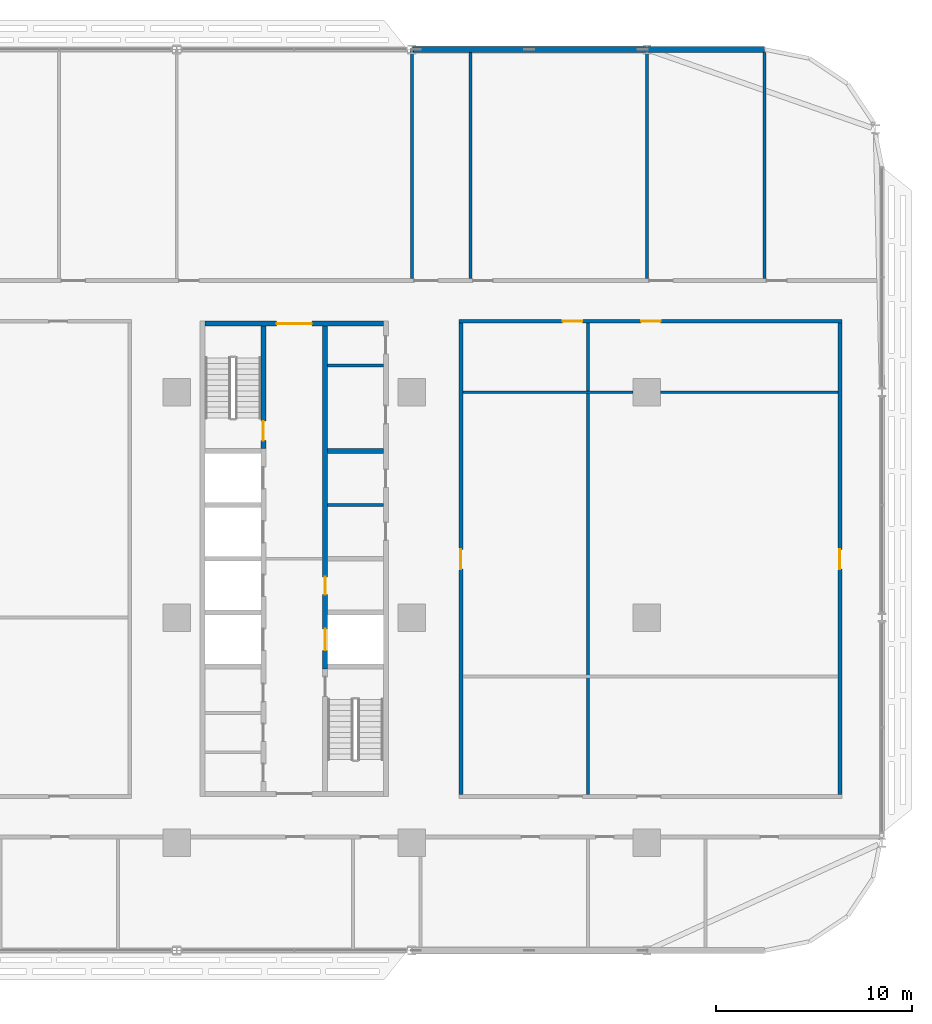
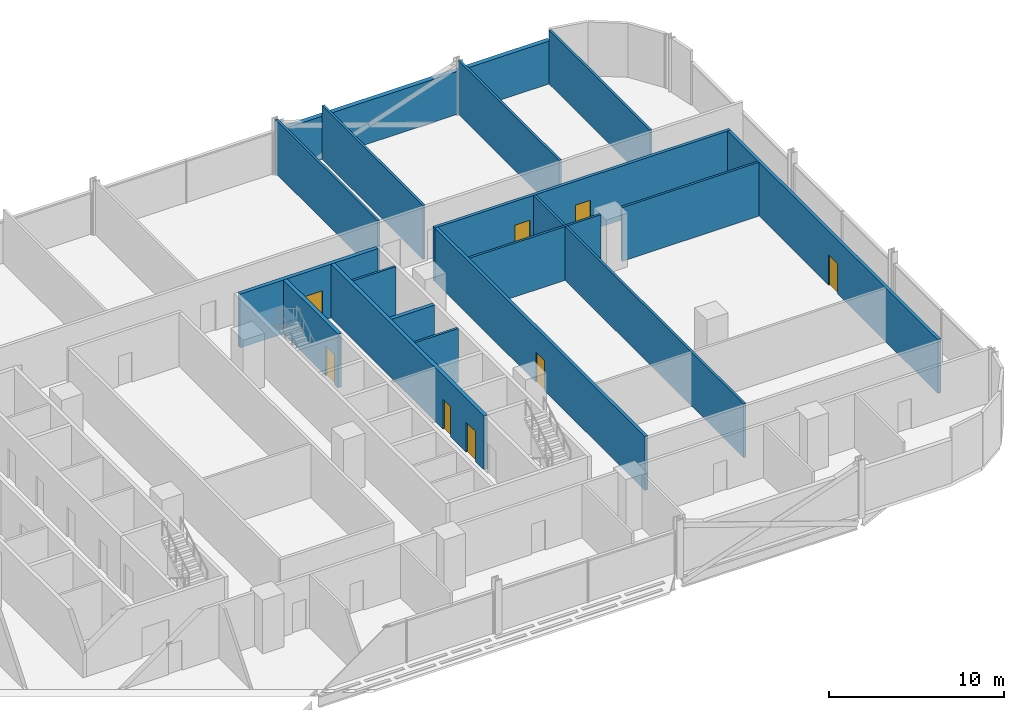
# One storey, part 17 of 29: 18 walls, 8 doors, 8 openings.
"""IFC4 building model written with IfcOpenShell, lengths in metres."""

import ifcopenshell
import ifcopenshell.guid

model = None  # the IFC model being written
_history = None  # IfcOwnerHistory: only IFC2X3 demands one
_inside = {}  # id of a spatial element -> (the spatial element, [elements in it])
_under = {}  # id of a project, library or spatial element -> (it, [spatial elements below it])
_declared = {}  # id of a project -> (the project, [libraries it declares])
_typed = {}  # id of a type object -> (the type object, [elements of that type])
_made_of = {}  # id of a material, layer set ... -> (it, [elements and type objects made of it])


def new_model(schema):
    """Start an empty IFC model of exactly this schema.

    Asked for "IFC4X3", IfcOpenShell would pick the latest addendum, in which some entities
    have other attributes; the version numbers below select the first issue.
    IFC2X3 requires an IfcOwnerHistory on every rooted entity: one is made here for all.
    """
    global model, _history
    if schema == "IFC4X3":
        model = ifcopenshell.file(schema_version=(4, 3, 0, 0))
    else:
        model = ifcopenshell.file(schema=schema)
    _inside.clear()
    _under.clear()
    _declared.clear()
    _typed.clear()
    _made_of.clear()
    _history = None
    if model.schema == "IFC2X3":
        org = make("IfcOrganization", Name="unknown")
        user = make(
            "IfcPersonAndOrganization",
            ThePerson=make("IfcPerson", FamilyName="unknown"),
            TheOrganization=org,
        )
        app = make(
            "IfcApplication",
            ApplicationDeveloper=org,
            Version="unknown",
            ApplicationFullName="unknown",
            ApplicationIdentifier="unknown",
        )
        _history = make(
            "IfcOwnerHistory",
            OwningUser=user,
            OwningApplication=app,
            ChangeAction="ADDED",
            CreationDate=0,
        )
    return model


def make(cls, **values):
    """One entity of the class cls with the attributes given. An attribute that is None is left unset."""
    return model.create_entity(
        cls, **{name: value for name, value in values.items() if value is not None}
    )


def rooted(cls, **values):
    """An entity with a GlobalId (a new one), such as an element, a storey or a relation."""
    return make(cls, GlobalId=ifcopenshell.guid.new(), OwnerHistory=_history, **values)


def si_unit(unit_type, name, prefix=None):
    """IfcSIUnit, for example si_unit("LENGTHUNIT", "METRE", prefix="MILLI")."""
    return make("IfcSIUnit", UnitType=unit_type, Prefix=prefix, Name=name)


def assignment(units):
    """IfcUnitAssignment: the units of a project."""
    return None if units is None else make("IfcUnitAssignment", Units=units)


def point(xyz):
    """IfcCartesianPoint."""
    return None if xyz is None else make("IfcCartesianPoint", Coordinates=xyz)


def direction(xyz):
    """IfcDirection."""
    return None if xyz is None else make("IfcDirection", DirectionRatios=xyz)


def frame(location, z_axis=None, x_axis=None):
    """IfcAxis2Placement3D, a coordinate frame: its origin and axes. An axis left out is left unset."""
    return make(
        "IfcAxis2Placement3D",
        Location=point(location),
        Axis=direction(z_axis),
        RefDirection=direction(x_axis),
    )


def frame_2d(location, x_axis=None):
    """IfcAxis2Placement2D, a coordinate frame in the plane: its origin and x axis."""
    return make(
        "IfcAxis2Placement2D", Location=point(location), RefDirection=direction(x_axis)
    )


def origin():
    """The frame at (0, 0, 0) with its axes left unset."""
    return frame((0.0, 0.0, 0.0))


def place(relative_to, where):
    """IfcLocalPlacement: puts the frame where relative to a parent placement (None: the world)."""
    return make(
        "IfcLocalPlacement", PlacementRelTo=relative_to, RelativePlacement=where
    )


def context(
    kind, dimensions, precision=None, world=None, true_north=None, identifier=None
):
    """IfcGeometricRepresentationContext, for example the 3D "Model" context."""
    return make(
        "IfcGeometricRepresentationContext",
        ContextIdentifier=identifier,
        ContextType=kind,
        CoordinateSpaceDimension=dimensions,
        Precision=precision,
        WorldCoordinateSystem=world,
        TrueNorth=true_north,
    )


def subcontext(parent, identifier, kind, view, scale=None):
    """IfcGeometricRepresentationSubContext, for example "Body" below "Model"."""
    return make(
        "IfcGeometricRepresentationSubContext",
        ContextIdentifier=identifier,
        ContextType=kind,
        ParentContext=parent,
        TargetScale=scale,
        TargetView=view,
    )


def project(units=None, contexts=None):
    """IfcProject with its units and contexts."""
    return rooted(
        "IfcProject",
        Name="project",
        RepresentationContexts=contexts,
        UnitsInContext=assignment(units),
    )


def spatial(cls, under=None, at=None, **own):
    """A site, building, storey or space (cls), placed at a placement, below another one or the project."""
    s = rooted(cls, ObjectPlacement=at, **own)
    if under is not None:
        _under.setdefault(under.id(), (under, []))[1].append(s)
    return s


def profile(cls, at=None, kind="AREA", **sizes):
    """A parametric profile (cls). Its sizes go by their IFC names, for example OverallWidth=200.0."""
    return make(cls, ProfileType=kind, Position=at, **sizes)


def rectangle(**sizes):
    """IfcRectangleProfileDef."""
    return profile("IfcRectangleProfileDef", **sizes)


def extrude(swept, where, along, depth):
    """IfcExtrudedAreaSolid: the profile swept, set in the frame where, extruded along a direction by depth."""
    return make(
        "IfcExtrudedAreaSolid",
        SweptArea=swept,
        Position=where,
        ExtrudedDirection=direction(along),
        Depth=depth,
    )


def shape(context_of_items, identifier, shape_type, items):
    """IfcShapeRepresentation: the items that make up one representation, for example the "Body"."""
    return make(
        "IfcShapeRepresentation",
        ContextOfItems=context_of_items,
        RepresentationIdentifier=identifier,
        RepresentationType=shape_type,
        Items=items,
    )


def material(Name=None, Category=None):
    """IfcMaterial."""
    return make("IfcMaterial", Name=Name, Category=Category)


def layer(
    of_material, thickness, ventilated=None, Name=None, Category=None, Priority=None
):
    """IfcMaterialLayer: one layer of a wall or slab, of a material (None: an air gap)."""
    return make(
        "IfcMaterialLayer",
        Material=of_material,
        LayerThickness=thickness,
        IsVentilated=ventilated,
        Name=Name,
        Category=Category,
        Priority=Priority,
    )


def layer_set(layers, Name=None):
    """IfcMaterialLayerSet."""
    return make("IfcMaterialLayerSet", MaterialLayers=layers, LayerSetName=Name)


def made_of(thing, what):
    """Note that an element or type object is made of a material, layer set ...; save() writes the relation."""
    if what is not None:
        _made_of.setdefault(what.id(), (what, []))[1].append(thing)
    return thing


def type_object(cls, material=None, **own):
    """A type object (cls), such as IfcWallType, which elements share."""
    return made_of(rooted(cls, **own), material)


def element(
    cls,
    number,
    at=None,
    inside=None,
    cuts=None,
    type_object=None,
    material=None,
    context=None,
    identifier="Body",
    shape_type=None,
    held_by="IfcProductDefinitionShape",
    body=None,
    shapes=None,
    **own,
):
    """One element of the class cls, such as IfcWall. Its Tag is "e" and its number.

    at: its placement. inside: the storey or other place that contains it. cuts: it is an
    opening in that element (IfcRelVoidsElement). A single representation is given by context,
    identifier, shape_type and body (its items); several are given by shapes. held_by: the class
    of the entity that holds the representations. save() writes the other relations.
    """
    e = rooted(cls, Tag="e%d" % number, ObjectPlacement=at, **own)
    if body is not None:
        shapes = [shape(context, identifier, shape_type, body)]
    if shapes is not None:
        e.Representation = make(held_by, Representations=shapes)
    if inside is not None:
        _inside.setdefault(inside.id(), (inside, []))[1].append(e)
    if cuts is not None:
        rooted(
            "IfcRelVoidsElement", RelatingBuildingElement=cuts, RelatedOpeningElement=e
        )
    if type_object is not None:
        _typed.setdefault(type_object.id(), (type_object, []))[1].append(e)
    return made_of(e, material)


def fill(opening, filler):
    """IfcRelFillsElement: the door or window that sits in an opening."""
    return rooted(
        "IfcRelFillsElement",
        RelatingOpeningElement=opening,
        RelatedBuildingElement=filler,
    )


def aggregate(whole, parts):
    """IfcRelAggregates: a whole, such as a stair, and the parts it consists of."""
    return rooted("IfcRelAggregates", RelatingObject=whole, RelatedObjects=parts)


def save(model, path):
    """Write the relations noted so far, then the file.

    IfcRelAggregates (storeys below a building ...), IfcRelContainedInSpatialStructure (elements
    in a storey), IfcRelDefinesByType, IfcRelAssociatesMaterial and IfcRelDeclares: one each for
    every whole, place, type object, material and project.
    """
    for whole, parts in _under.values():
        aggregate(whole, parts)
    for where, things in _inside.values():
        rooted(
            "IfcRelContainedInSpatialStructure",
            RelatedElements=things,
            RelatingStructure=where,
        )
    for kind, things in _typed.values():
        rooted("IfcRelDefinesByType", RelatedObjects=things, RelatingType=kind)
    for what, things in _made_of.values():
        rooted("IfcRelAssociatesMaterial", RelatedObjects=things, RelatingMaterial=what)
    for by, libraries in _declared.values():
        rooted("IfcRelDeclares", RelatingContext=by, RelatedDefinitions=libraries)
    model.write(path)


model = new_model("IFC4")

# Units and contexts
model_context = context("Model", 3, precision=1e-05, world=origin(), true_north=direction((0.0, 1.0)))
body_context = subcontext(model_context, "Body", "Model", "MODEL_VIEW")
ifc_project = project(units=[si_unit("LENGTHUNIT", "METRE"), si_unit("AREAUNIT", "SQUARE_METRE"), si_unit("VOLUMEUNIT", "CUBIC_METRE"), si_unit("PLANEANGLEUNIT", "RADIAN"), si_unit("MASSUNIT", "GRAM", prefix="KILO")], contexts=[model_context])

# Site, building, storey
site_placement = place(None, origin())
site = spatial("IfcSite", under=ifc_project, at=site_placement, CompositionType="ELEMENT")
building_placement = place(site_placement, origin())
building = spatial("IfcBuilding", under=site, at=building_placement, Name="Mahtab Terrace Research Tower", CompositionType="ELEMENT")
storey_placement = place(building_placement, frame((0.0, 0.0, 88.89990234375)))
storey = spatial("IfcBuildingStorey", under=building, at=storey_placement, Name="L20", CompositionType="ELEMENT", Elevation=88.89990234375)

# Walls
ifc_material_1 = material(Name="Gypsum board partition")
ifc_layer_1 = layer(ifc_material_1, 0.14990234375)
ifc_layer_set_1 = layer_set([ifc_layer_1], Name="Core partition 150")
wall_type_1 = type_object("IfcWallType", Name="Core partition 150", PredefinedType="PARTITIONING", material=ifc_layer_set_1)
for number, where, z_axis, x_axis, name in (
    (1, (25.699951171875, 5.75, 0.0), (0.0, 0.0, 1.0), (1.0, 0.0, 0.0), "Core wall C pEL275"),
    (2, (25.699951171875, 12.875, 0.0), (0.0, 0.0, 1.0), (1.0, 0.0, 0.0), "Core wall C pEN988"),
):
    element("IfcWall", number, at=place(storey_placement, frame(where, z_axis=z_axis, x_axis=x_axis)), inside=storey, type_object=wall_type_1, Name=name, PredefinedType="PARTITIONING", context=body_context, shape_type="SweptSolid", body=[
        extrude(rectangle(XDim=2.85009765625, YDim=0.14990234375, at=frame_2d((1.425048828125, 0.0))), origin(), (0.0, 0.0, 1.0), 3.760009765625),
    ])

# Wall, opening, door
ifc_material_2 = material(Name="Concrete C70/85", Category="concrete")
ifc_layer_2 = layer(ifc_material_2, 0.25)
ifc_layer_set_2 = layer_set([ifc_layer_2], Name="Core wall 250")
wall_type_2 = type_object("IfcWallType", Name="Core wall 250", PredefinedType="SOLIDWALL", material=ifc_layer_set_2)
wall_1_placement = place(storey_placement, frame((19.449951171875, 15.0, 0.0), z_axis=(0.0, 0.0, 1.0), x_axis=(1.0, 0.0, 0.0)))
wall_1 = element("IfcWall", 3, at=wall_1_placement, inside=storey, type_object=wall_type_2, Name="Core wall C endN", PredefinedType="SOLIDWALL", context=body_context, shape_type="SweptSolid", body=[
    extrude(rectangle(XDim=9.10009765625, YDim=0.25, at=frame_2d((4.550048828125, 0.0))), origin(), (0.0, 0.0, 1.0), 3.760009765625),
])
opening_1_placement = place(wall_1_placement, frame((3.64990234375, 0.0, 0.0)))
opening_1 = element("IfcOpeningElement", 4, at=opening_1_placement, cuts=wall_1, Name="Opening C-N1", PredefinedType="OPENING", context=body_context, shape_type="SweptSolid", body=[
    extrude(rectangle(XDim=1.800048828125, YDim=2.10009765625, at=frame_2d((0.89990234375, 1.050048828125))), frame((0.0, 0.135009765625, 0.0), z_axis=(0.0, -1.0, 0.0), x_axis=(1.0, 0.0, 0.0)), (0.0, 0.0, 1.0), 0.27001953125),
])
ifc_material_3 = material(Name="Steel fire door", Category="steel")
door_type_1 = type_object("IfcDoorType", Name="Lobby double door 1800x2100 1 HR", OperationType="DOUBLE_DOOR_SINGLE_SWING", PredefinedType="DOOR", material=ifc_material_3)
door_1_placement = place(opening_1_placement, origin())
door_1 = element("IfcDoor", 5, at=door_1_placement, inside=storey, type_object=door_type_1, Name="Core entrance door C N", OperationType="DOUBLE_DOOR_SINGLE_SWING", OverallHeight=2.10009765625, OverallWidth=1.800048828125, PredefinedType="DOOR", context=body_context, shape_type="SweptSolid", body=[
    extrude(rectangle(XDim=1.800048828125, YDim=2.10009765625, at=frame_2d((0.89990234375, 1.050048828125))), frame((0.0, 0.02490234375, 0.0), z_axis=(0.0, -1.0, 0.0), x_axis=(1.0, 0.0, 0.0)), (0.0, 0.0, 1.0), 0.050048828125),
])
fill(opening_1, door_1)

wall_2_placement = place(storey_placement, frame((22.425048828125, 14.875, 0.0), z_axis=(0.0, 0.0, 1.0), x_axis=(0.0, -1.0, 0.0)))
wall_2 = element("IfcWall", 6, at=wall_2_placement, inside=storey, type_object=wall_type_2, Name="Core wall C innerWN", PredefinedType="SOLIDWALL", context=body_context, shape_type="SweptSolid", body=[
    extrude(rectangle(XDim=6.25, YDim=0.25, at=frame_2d((3.125, 0.0))), origin(), (0.0, 0.0, 1.0), 3.760009765625),
])
opening_2_placement = place(wall_2_placement, frame((4.85009765625, 0.0, 0.0)))
opening_2 = element("IfcOpeningElement", 7, at=opening_2_placement, cuts=wall_2, Name="Opening C-ST3", PredefinedType="OPENING", context=body_context, shape_type="SweptSolid", body=[
    extrude(rectangle(XDim=1.0, YDim=2.10009765625, at=frame_2d((0.5, 1.050048828125))), frame((0.0, 0.135009765625, 0.0), z_axis=(0.0, -1.0, 0.0), x_axis=(1.0, 0.0, 0.0)), (0.0, 0.0, 1.0), 0.27001953125),
])
door_type_2 = type_object("IfcDoorType", Name="Stair door 1000x2100 1.5 HR", OperationType="NOTDEFINED", PredefinedType="DOOR", material=ifc_material_3)
door_2_placement = place(opening_2_placement, origin())
door_2 = element("IfcDoor", 8, at=door_2_placement, inside=storey, type_object=door_type_2, Name="Stair door ST3 L20", OperationType="SINGLE_SWING_LEFT", OverallHeight=2.10009765625, OverallWidth=1.0, PredefinedType="DOOR", context=body_context, shape_type="SweptSolid", body=[
    extrude(rectangle(XDim=1.0, YDim=2.10009765625, at=frame_2d((0.5, 1.050048828125))), frame((0.0, 0.02490234375, 0.0), z_axis=(0.0, -1.0, 0.0), x_axis=(1.0, 0.0, 0.0)), (0.0, 0.0, 1.0), 0.050048828125),
])
fill(opening_2, door_2)

# Wall, openings, doors
wall_3_placement = place(storey_placement, frame((25.574951171875, 14.875, 0.0), z_axis=(0.0, 0.0, 1.0), x_axis=(0.0, -1.0, 0.0)))
wall_3 = element("IfcWall", 9, at=wall_3_placement, inside=storey, type_object=wall_type_2, Name="Core wall C innerELN", PredefinedType="SOLIDWALL", context=body_context, shape_type="SweptSolid", body=[
    extrude(rectangle(XDim=17.5, YDim=0.25, at=frame_2d((8.75, 0.0))), origin(), (0.0, 0.0, 1.0), 3.760009765625),
])
opening_3_placement = place(wall_3_placement, frame((15.449951171875, 0.0, 0.0)))
opening_3 = element("IfcOpeningElement", 10, at=opening_3_placement, cuts=wall_3, Name="Opening LD21-L20", PredefinedType="OPENING", context=body_context, shape_type="SweptSolid", body=[
    extrude(rectangle(XDim=1.10009765625, YDim=2.10009765625, at=frame_2d((0.550048828125, 1.050048828125))), frame((0.0, 0.135009765625, 0.0), z_axis=(0.0, -1.0, 0.0), x_axis=(1.0, 0.0, 0.0)), (0.0, 0.0, 1.0), 0.27001953125),
])
opening_4_placement = place(wall_3_placement, frame((12.800048828125, 0.0, 0.0)))
opening_4 = element("IfcOpeningElement", 11, at=opening_4_placement, cuts=wall_3, Name="Opening C-R1", PredefinedType="OPENING", context=body_context, shape_type="SweptSolid", body=[
    extrude(rectangle(XDim=0.89990234375, YDim=2.10009765625, at=frame_2d((0.449951171875, 1.050048828125))), frame((0.0, 0.135009765625, 0.0), z_axis=(0.0, -1.0, 0.0), x_axis=(1.0, 0.0, 0.0)), (0.0, 0.0, 1.0), 0.27001953125),
])
ifc_material_4 = material(Name="Stainless steel AISI 304", Category="steel")
door_type_3 = type_object("IfcDoorType", Name="Landing door 1100x2100", OperationType="DOUBLE_DOOR_SLIDING", PredefinedType="DOOR", material=ifc_material_4)
door_3_placement = place(opening_3_placement, origin())
door_3 = element("IfcDoor", 12, at=door_3_placement, inside=storey, type_object=door_type_3, Name="Landing door SV3 L20", OperationType="DOUBLE_DOOR_SLIDING", OverallHeight=2.10009765625, OverallWidth=1.10009765625, PredefinedType="DOOR", context=body_context, shape_type="SweptSolid", body=[
    extrude(rectangle(XDim=1.10009765625, YDim=2.10009765625, at=frame_2d((0.550048828125, 1.050048828125))), frame((0.0, 0.02490234375, 0.0), z_axis=(0.0, -1.0, 0.0), x_axis=(1.0, 0.0, 0.0)), (0.0, 0.0, 1.0), 0.050048828125),
])
fill(opening_3, door_3)
door_type_4 = type_object("IfcDoorType", Name="Room door 900x2100 1 HR", OperationType="NOTDEFINED", PredefinedType="DOOR", material=ifc_material_3)
door_4_placement = place(opening_4_placement, origin())
door_4 = element("IfcDoor", 13, at=door_4_placement, inside=storey, type_object=door_type_4, Name="Plant room door", OperationType="SINGLE_SWING_LEFT", OverallHeight=2.10009765625, OverallWidth=0.89990234375, PredefinedType="DOOR", context=body_context, shape_type="SweptSolid", body=[
    extrude(rectangle(XDim=0.89990234375, YDim=2.10009765625, at=frame_2d((0.449951171875, 1.050048828125))), frame((0.0, 0.02490234375, 0.0), z_axis=(0.0, -1.0, 0.0), x_axis=(1.0, 0.0, 0.0)), (0.0, 0.0, 1.0), 0.050048828125),
])
fill(opening_4, door_4)

# Walls
wall_4_placement = place(storey_placement, frame((25.699951171875, 8.5, 0.0), z_axis=(0.0, 0.0, 1.0), x_axis=(1.0, 0.0, 0.0)))
element("IfcWall", 14, at=wall_4_placement, inside=storey, type_object=wall_type_2, Name="Core wall C divE4", PredefinedType="SOLIDWALL", context=body_context, shape_type="SweptSolid", body=[
    extrude(rectangle(XDim=2.85009765625, YDim=0.25, at=frame_2d((1.425048828125, 0.0))), origin(), (0.0, 0.0, 1.0), 3.760009765625),
])
ifc_material_5 = material(Name="Black aluminium cladding panel", Category="aluminium")
ifc_layer_3 = layer(ifc_material_5, 0.300048828125)
ifc_layer_set_3 = layer_set([ifc_layer_3], Name="Opaque facade wall 300")
wall_type_3 = type_object("IfcWallType", Name="Opaque facade wall 300", PredefinedType="NOTDEFINED", material=ifc_layer_set_3)
wall_5_placement = place(storey_placement, frame((48.0, 29.0, 0.0), z_axis=(0.0, 0.0, 1.0), x_axis=(-1.0, 0.0, 0.0)))
element("IfcWall", 15, at=wall_5_placement, inside=storey, type_object=wall_type_3, Name="Opaque facade wall L20 N3", PredefinedType="NOTDEFINED", context=body_context, shape_type="SweptSolid", body=[
    extrude(rectangle(XDim=5.97900390625, YDim=0.300048828125, at=frame_2d((2.989501953125, 0.0))), origin(), (0.0, 0.0, 1.0), 3.003173828125),
])
wall_6_placement = place(storey_placement, frame((41.97900390625, 29.0, 0.0), z_axis=(0.0, 0.0, 1.0), x_axis=(-1.0, 0.0, 0.0)))
element("IfcWall", 16, at=wall_6_placement, inside=storey, type_object=wall_type_3, Name="Opaque facade wall L20 N4", PredefinedType="NOTDEFINED", context=body_context, shape_type="SweptSolid", body=[
    extrude(rectangle(XDim=11.9580078125, YDim=0.300048828125, at=frame_2d((5.97900390625, 0.0))), origin(), (0.0, 0.0, 1.0), 3.003173828125),
])

# Wall, openings, doors
ifc_material_6 = material(Name="Gypsum board corridor wall on steel studs", Category="steel")
ifc_layer_4 = layer(ifc_material_6, 0.199951171875)
ifc_layer_set_4 = layer_set([ifc_layer_4], Name="WALL CORRIDOR 200")
wall_type_4 = type_object("IfcWallType", Name="WALL CORRIDOR 200", PredefinedType="PARTITIONING", material=ifc_layer_set_4)
wall_7_placement = place(storey_placement, frame((32.39990234375, 15.125, 0.0), z_axis=(0.0, 0.0, 1.0), x_axis=(1.0, 0.0, 0.0)))
wall_7 = element("IfcWall", 17, at=wall_7_placement, inside=storey, type_object=wall_type_4, Name="L20-W023", PredefinedType="PARTITIONING", context=body_context, shape_type="SweptSolid", body=[
    extrude(rectangle(XDim=19.550048828125, YDim=0.199951171875, at=frame_2d((9.77490234375, 0.0))), origin(), (0.0, 0.0, 1.0), 3.760009765625),
])
opening_5_placement = place(wall_7_placement, frame((5.300048828125, 0.0, 0.0)))
opening_5 = element("IfcOpeningElement", 18, at=opening_5_placement, cuts=wall_7, Name="Opening L20-125", PredefinedType="OPENING", context=body_context, shape_type="SweptSolid", body=[
    extrude(rectangle(XDim=1.0, YDim=2.10009765625, at=frame_2d((0.5, 1.050048828125))), frame((0.0, 0.10986328125, 0.0), z_axis=(0.0, -1.0, 0.0), x_axis=(1.0, 0.0, 0.0)), (0.0, 0.0, 1.0), 0.219970703125),
])
opening_6_placement = place(wall_7_placement, frame((9.300048828125, 0.0, 0.0)))
opening_6 = element("IfcOpeningElement", 19, at=opening_6_placement, cuts=wall_7, Name="Opening L20-126", PredefinedType="OPENING", context=body_context, shape_type="SweptSolid", body=[
    extrude(rectangle(XDim=1.0, YDim=2.10009765625, at=frame_2d((0.5, 1.050048828125))), frame((0.0, 0.10986328125, 0.0), z_axis=(0.0, -1.0, 0.0), x_axis=(1.0, 0.0, 0.0)), (0.0, 0.0, 1.0), 0.219970703125),
])
ifc_material_7 = material(Name="Timber door leaf in steel frame", Category="steel")
door_type_5 = type_object("IfcDoorType", Name="DOOR 1000X2100 FD30S", OperationType="SINGLE_SWING_LEFT", PredefinedType="DOOR", material=ifc_material_7)
door_5_placement = place(opening_5_placement, origin())
door_5 = element("IfcDoor", 20, at=door_5_placement, inside=storey, type_object=door_type_5, Name="Door L20-125", OperationType="SINGLE_SWING_RIGHT", OverallHeight=2.10009765625, OverallWidth=1.0, PredefinedType="DOOR", context=body_context, shape_type="SweptSolid", body=[
    extrude(rectangle(XDim=1.0, YDim=2.10009765625, at=frame_2d((0.5, 1.050048828125))), frame((0.0, 0.02490234375, 0.0), z_axis=(0.0, -1.0, 0.0), x_axis=(1.0, 0.0, 0.0)), (0.0, 0.0, 1.0), 0.050048828125),
])
fill(opening_5, door_5)
door_6_placement = place(opening_6_placement, origin())
door_6 = element("IfcDoor", 21, at=door_6_placement, inside=storey, type_object=door_type_5, Name="Door L20-126", OperationType="SINGLE_SWING_LEFT", OverallHeight=2.10009765625, OverallWidth=1.0, PredefinedType="DOOR", context=body_context, shape_type="SweptSolid", body=[
    extrude(rectangle(XDim=1.0, YDim=2.10009765625, at=frame_2d((0.5, 1.050048828125))), frame((0.0, 0.02490234375, 0.0), z_axis=(0.0, -1.0, 0.0), x_axis=(1.0, 0.0, 0.0)), (0.0, 0.0, 1.0), 0.050048828125),
])
fill(opening_6, door_6)

# Wall, opening, door
wall_8_placement = place(storey_placement, frame((32.5, -9.02490234375, 0.0), z_axis=(0.0, 0.0, 1.0), x_axis=(0.0, 1.0, 0.0)))
wall_8 = element("IfcWall", 22, at=wall_8_placement, inside=storey, type_object=wall_type_4, Name="L20-W050", PredefinedType="PARTITIONING", context=body_context, shape_type="SweptSolid", body=[
    extrude(rectangle(XDim=24.0498046875, YDim=0.199951171875, at=frame_2d((12.02490234375, 0.0))), origin(), (0.0, 0.0, 1.0), 3.760009765625),
])
opening_7_placement = place(wall_8_placement, frame((11.5, 0.0, 0.0)))
opening_7 = element("IfcOpeningElement", 23, at=opening_7_placement, cuts=wall_8, Name="Opening L20-120", PredefinedType="OPENING", context=body_context, shape_type="SweptSolid", body=[
    extrude(rectangle(XDim=1.0, YDim=2.10009765625, at=frame_2d((0.5, 1.050048828125))), frame((0.0, 0.10986328125, 0.0), z_axis=(0.0, -1.0, 0.0), x_axis=(1.0, 0.0, 0.0)), (0.0, 0.0, 1.0), 0.219970703125),
])
door_7_placement = place(opening_7_placement, origin())
door_7 = element("IfcDoor", 24, at=door_7_placement, inside=storey, type_object=door_type_5, Name="Door L20-120", OperationType="SINGLE_SWING_RIGHT", OverallHeight=2.10009765625, OverallWidth=1.0, PredefinedType="DOOR", context=body_context, shape_type="SweptSolid", body=[
    extrude(rectangle(XDim=1.0, YDim=2.10009765625, at=frame_2d((0.5, 1.050048828125))), frame((0.0, 0.02490234375, 0.0), z_axis=(0.0, -1.0, 0.0), x_axis=(1.0, 0.0, 0.0)), (0.0, 0.0, 1.0), 0.050048828125),
])
fill(opening_7, door_7)

wall_9_placement = place(storey_placement, frame((51.85009765625, -9.02490234375, 0.0), z_axis=(0.0, 0.0, 1.0), x_axis=(0.0, 1.0, 0.0)))
wall_9 = element("IfcWall", 25, at=wall_9_placement, inside=storey, type_object=wall_type_4, Name="L20-W057", PredefinedType="PARTITIONING", context=body_context, shape_type="SweptSolid", body=[
    extrude(rectangle(XDim=24.0498046875, YDim=0.199951171875, at=frame_2d((12.02490234375, 0.0))), origin(), (0.0, 0.0, 1.0), 3.760009765625),
])
opening_8_placement = place(wall_9_placement, frame((11.5, 0.0, 0.0)))
opening_8 = element("IfcOpeningElement", 26, at=opening_8_placement, cuts=wall_9, Name="Opening L20-121", PredefinedType="OPENING", context=body_context, shape_type="SweptSolid", body=[
    extrude(rectangle(XDim=1.0, YDim=2.10009765625, at=frame_2d((0.5, 1.050048828125))), frame((0.0, 0.10986328125, 0.0), z_axis=(0.0, -1.0, 0.0), x_axis=(1.0, 0.0, 0.0)), (0.0, 0.0, 1.0), 0.219970703125),
])
door_8_placement = place(opening_8_placement, origin())
door_8 = element("IfcDoor", 27, at=door_8_placement, inside=storey, type_object=door_type_5, Name="Door L20-121", OperationType="SINGLE_SWING_LEFT", OverallHeight=2.10009765625, OverallWidth=1.0, PredefinedType="DOOR", context=body_context, shape_type="SweptSolid", body=[
    extrude(rectangle(XDim=1.0, YDim=2.10009765625, at=frame_2d((0.5, 1.050048828125))), frame((0.0, 0.02490234375, 0.0), z_axis=(0.0, -1.0, 0.0), x_axis=(1.0, 0.0, 0.0)), (0.0, 0.0, 1.0), 0.050048828125),
])
fill(opening_8, door_8)

# Walls
ifc_material_8 = material(Name="Gypsum board partition on steel studs", Category="steel")
ifc_layer_5 = layer(ifc_material_8, 0.14990234375)
ifc_layer_set_5 = layer_set([ifc_layer_5], Name="WALL PARTITION 150")
wall_type_5 = type_object("IfcWallType", Name="WALL PARTITION 150", PredefinedType="PARTITIONING", material=ifc_layer_set_5)
wall_10_placement = place(storey_placement, frame((32.60009765625, 11.5, 0.0), z_axis=(0.0, 0.0, 1.0), x_axis=(1.0, 0.0, 0.0)))
element("IfcWall", 28, at=wall_10_placement, inside=storey, type_object=wall_type_5, Name="L20-W018", PredefinedType="PARTITIONING", context=body_context, shape_type="SweptSolid", body=[
    extrude(rectangle(XDim=8.699951171875, YDim=0.14990234375, at=frame_2d((4.35009765625, 0.0))), origin(), (0.0, 0.0, 1.0), 3.760009765625),
])
wall_11_placement = place(storey_placement, frame((42.699951171875, 11.5, 0.0), z_axis=(0.0, 0.0, 1.0), x_axis=(1.0, 0.0, 0.0)))
element("IfcWall", 29, at=wall_11_placement, inside=storey, type_object=wall_type_5, Name="L20-W019", PredefinedType="PARTITIONING", context=body_context, shape_type="SweptSolid", body=[
    extrude(rectangle(XDim=9.050048828125, YDim=0.14990234375, at=frame_2d((4.52490234375, 0.0))), origin(), (0.0, 0.0, 1.0), 3.760009765625),
])
wall_12_placement = place(storey_placement, frame((30.0, 17.300048828125, 0.0), z_axis=(0.0, 0.0, 1.0), x_axis=(0.0, 1.0, 0.0)))
element("IfcWall", 30, at=wall_12_placement, inside=storey, type_object=wall_type_5, Name="L20-W048", PredefinedType="PARTITIONING", context=body_context, shape_type="SweptSolid", body=[
    extrude(rectangle(XDim=11.675048828125, YDim=0.14990234375, at=frame_2d((5.83740234375, 0.0))), origin(), (0.0, 0.0, 1.0), 3.760009765625),
])
wall_13_placement = place(storey_placement, frame((33.0, 17.300048828125, 0.0), z_axis=(0.0, 0.0, 1.0), x_axis=(0.0, 1.0, 0.0)))
element("IfcWall", 31, at=wall_13_placement, inside=storey, type_object=wall_type_5, Name="L20-W051", PredefinedType="PARTITIONING", context=body_context, shape_type="SweptSolid", body=[
    extrude(rectangle(XDim=11.550048828125, YDim=0.14990234375, at=frame_2d((5.77490234375, 0.0))), origin(), (0.0, 0.0, 1.0), 3.760009765625),
])
wall_14_placement = place(storey_placement, frame((39.0, -9.02490234375, 0.0), z_axis=(0.0, 0.0, 1.0), x_axis=(0.0, 1.0, 0.0)))
element("IfcWall", 32, at=wall_14_placement, inside=storey, type_object=wall_type_5, Name="L20-W053", PredefinedType="PARTITIONING", context=body_context, shape_type="SweptSolid", body=[
    extrude(rectangle(XDim=24.0498046875, YDim=0.14990234375, at=frame_2d((12.02490234375, 0.0))), origin(), (0.0, 0.0, 1.0), 3.760009765625),
])
wall_15_placement = place(storey_placement, frame((42.0, 17.300048828125, 0.0), z_axis=(0.0, 0.0, 1.0), x_axis=(0.0, 1.0, 0.0)))
element("IfcWall", 33, at=wall_15_placement, inside=storey, type_object=wall_type_5, Name="L20-W054", PredefinedType="PARTITIONING", context=body_context, shape_type="SweptSolid", body=[
    extrude(rectangle(XDim=11.550048828125, YDim=0.14990234375, at=frame_2d((5.77490234375, 0.0))), origin(), (0.0, 0.0, 1.0), 3.760009765625),
])
wall_16_placement = place(storey_placement, frame((48.0, 17.300048828125, 0.0), z_axis=(0.0, 0.0, 1.0), x_axis=(0.0, 1.0, 0.0)))
element("IfcWall", 34, at=wall_16_placement, inside=storey, type_object=wall_type_5, Name="L20-W056", PredefinedType="PARTITIONING", context=body_context, shape_type="SweptSolid", body=[
    extrude(rectangle(XDim=11.547119140625, YDim=0.14990234375, at=frame_2d((5.7734375, 0.0))), origin(), (0.0, 0.0, 1.0), 3.760009765625),
])

save(model, "model.ifc")
